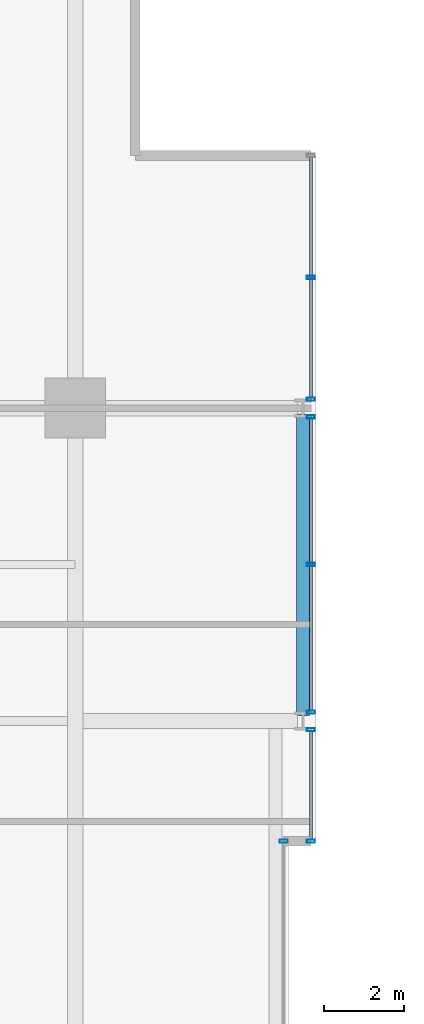
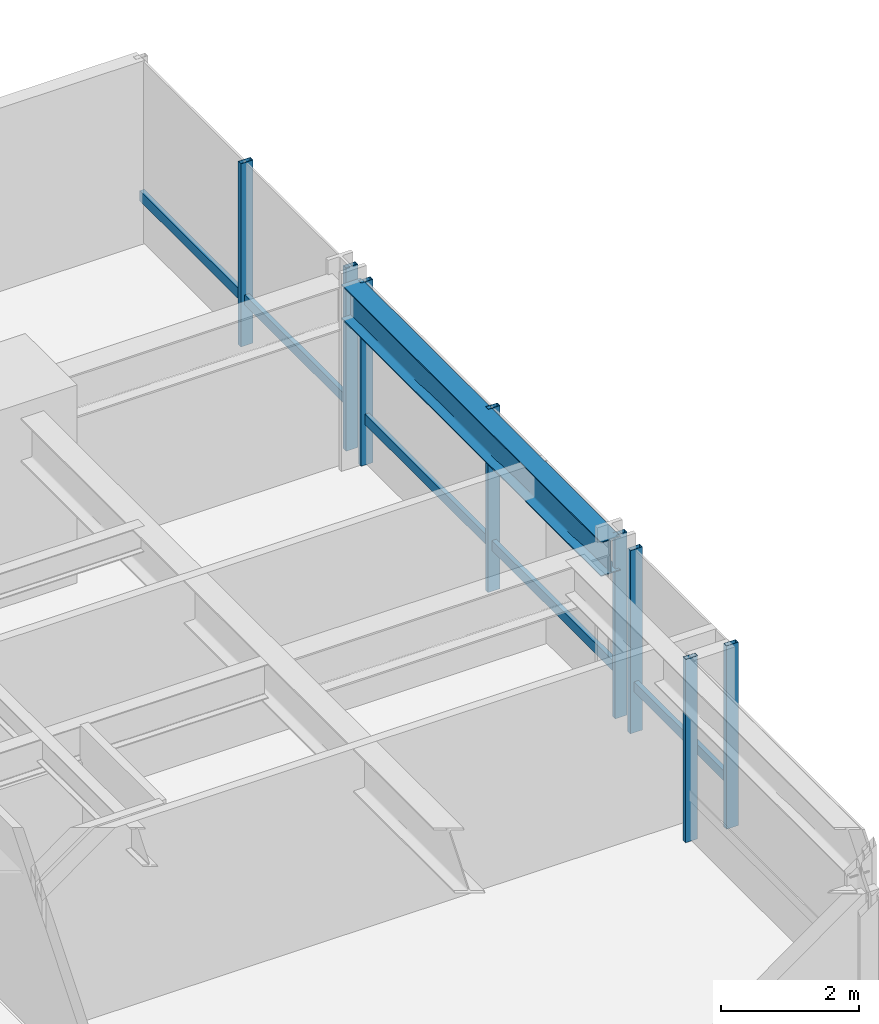
# One storey, part 24 of 34: 11 members, 1 beam, 4 elements without a shape of their own.
"""IFC4 building model written with IfcOpenShell, lengths in metres."""

from ifc_helpers import new_model, si_unit, direction, frame, origin, origin_2d, place, context, subcontext, project, spatial, hollow_rectangle, i_section, extrude, material, layer, layer_set, material_profile, profile_set, type_object, element, aggregate, save


model = new_model("IFC4")

# Units and contexts
model_context = context("Model", 3, precision=1e-05, world=origin(), true_north=direction((0.0, 1.0)))
body_context = subcontext(model_context, "Body", "Model", "MODEL_VIEW")
ifc_project = project(units=[si_unit("LENGTHUNIT", "METRE"), si_unit("AREAUNIT", "SQUARE_METRE"), si_unit("VOLUMEUNIT", "CUBIC_METRE"), si_unit("PLANEANGLEUNIT", "RADIAN"), si_unit("MASSUNIT", "GRAM", prefix="KILO")], contexts=[model_context])

# Site, building, storey
site_placement = place(None, origin())
site = spatial("IfcSite", under=ifc_project, at=site_placement, CompositionType="ELEMENT")
building_placement = place(site_placement, origin())
building = spatial("IfcBuilding", under=site, at=building_placement, Name="Drelvath Grand Hotel", CompositionType="ELEMENT")
storey_placement = place(building_placement, frame((0.0, 0.0, 91.800048828125)))
storey = spatial("IfcBuildingStorey", under=building, at=storey_placement, Name="L22", CompositionType="ELEMENT", Elevation=91.800048828125)

# Curtain wall, member
ifc_material_1 = material(Name="Champagne Bronze Anodised Aluminium Frame", Category="aluminium")
ifc_layer = layer(ifc_material_1, 0.199951171875)
ifc_layer_set = layer_set([ifc_layer], Name="Champagne Bronze Anodised Aluminium Frame")
curtain_wall_type = type_object("IfcCurtainWallType", Name="Stick Curtain Wall CW-03 Champagne Bronze Mid-Rise", PredefinedType="NOTDEFINED", material=ifc_layer_set)
curtain_wall_1_placement = place(storey_placement, origin())
curtain_wall_1 = element("IfcCurtainWall", 1, at=curtain_wall_1_placement, inside=storey, type_object=curtain_wall_type, Name="L22 CW-03 Curtain Wall CW03-L22-EN1", PredefinedType="NOTDEFINED")
ifc_material_profile_1 = material_profile(ifc_material_1, hollow_rectangle(XDim=0.074951171875, YDim=0.179931640625, WallThickness=0.0048828125, at=origin_2d()), Name="HSS180X75X5")
ifc_profile_set_1 = profile_set([ifc_material_profile_1], Name="Champagne Bronze Anodised Aluminium Frame")
member_type_1 = type_object("IfcMemberType", Name="Curtain Wall Horizontal Transom CW-03 HSS180X75X5", PredefinedType="USERDEFINED", material=ifc_profile_set_1)
member_1_placement = place(storey_placement, frame((22.080078125, 35.140380859375, 0.81005859375), z_axis=(0.0, -1.0, 0.0), x_axis=(1.0, 0.0, 0.0)))
member_1 = element("IfcMember", 2, at=member_1_placement, type_object=member_type_1, Name="CW03-L22-EN1 Sill Transom", ObjectType="TRANSOM", PredefinedType="USERDEFINED", context=body_context, shape_type="SweptSolid", body=[
    extrude(hollow_rectangle(XDim=0.074951171875, YDim=0.179931640625, WallThickness=0.0048828125, at=origin_2d()), origin(), (0.0, 0.0, 1.0), 2.700439453125),
])

curtain_wall_2_placement = place(storey_placement, origin())
curtain_wall_2 = element("IfcCurtainWall", 3, at=curtain_wall_2_placement, inside=storey, type_object=curtain_wall_type, Name="L22 CW-03 Curtain Wall CW03-L22-EN2", PredefinedType="NOTDEFINED")
member_2_placement = place(storey_placement, frame((22.080078125, 42.9404296875, 0.81005859375), z_axis=(0.0, -1.0, 0.0), x_axis=(1.0, 0.0, 0.0)))
member_2 = element("IfcMember", 4, at=member_2_placement, type_object=member_type_1, Name="CW03-L22-EN2 Sill Transom", ObjectType="TRANSOM", PredefinedType="USERDEFINED", context=body_context, shape_type="SweptSolid", body=[
    extrude(hollow_rectangle(XDim=0.074951171875, YDim=0.179931640625, WallThickness=0.0048828125, at=origin_2d()), origin(), (0.0, 0.0, 1.0), 7.28076171875),
])

curtain_wall_3_placement = place(storey_placement, origin())
curtain_wall_3 = element("IfcCurtainWall", 5, at=curtain_wall_3_placement, inside=storey, type_object=curtain_wall_type, Name="L22 CW-03 Curtain Wall CW03-L22-EN3", PredefinedType="NOTDEFINED")
member_3_placement = place(storey_placement, frame((22.080078125, 49.4599609375, 0.81005859375), z_axis=(0.0, -1.0, 0.0), x_axis=(1.0, 0.0, 0.0)))
member_3 = element("IfcMember", 6, at=member_3_placement, type_object=member_type_1, Name="CW03-L22-EN3 Sill Transom", ObjectType="TRANSOM", PredefinedType="USERDEFINED", context=body_context, shape_type="SweptSolid", body=[
    extrude(hollow_rectangle(XDim=0.074951171875, YDim=0.179931640625, WallThickness=0.0048828125, at=origin_2d()), origin(), (0.0, 0.0, 1.0), 6.000244140625),
])

# Member
ifc_material_profile_2 = material_profile(ifc_material_1, hollow_rectangle(XDim=0.080078125, YDim=0.199951171875, WallThickness=0.0048828125, at=origin_2d()), Name="HSS200X80X5")
ifc_profile_set_2 = profile_set([ifc_material_profile_2], Name="Champagne Bronze Anodised Aluminium Frame")
member_type_2 = type_object("IfcMemberType", Name="Curtain Wall Vertical Mullion CW-03 HSS200X80X5", PredefinedType="MULLION", material=ifc_profile_set_2)
member_4_placement = place(storey_placement, frame((22.080078125, 35.180419921875, 0.0), z_axis=(0.0, 0.0, 1.0), x_axis=(0.0, 1.0, 0.0)))
member_4 = element("IfcMember", 7, at=member_4_placement, type_object=member_type_2, Name="CW03-L22-EN1 Mullion 1", PredefinedType="MULLION", context=body_context, shape_type="SweptSolid", body=[
    extrude(hollow_rectangle(XDim=0.080078125, YDim=0.199951171875, WallThickness=0.0048828125, at=origin_2d()), origin(), (0.0, 0.0, 1.0), 3.239990234375),
])

member_5_placement = place(storey_placement, frame((22.080078125, 32.39990234375, 0.0), z_axis=(0.0, 0.0, 1.0), x_axis=(0.0, 1.0, 0.0)))
member_5 = element("IfcMember", 8, at=member_5_placement, type_object=member_type_2, Name="CW03-L22-EN1 Mullion 2", PredefinedType="MULLION", context=body_context, shape_type="SweptSolid", body=[
    extrude(hollow_rectangle(XDim=0.080078125, YDim=0.199951171875, WallThickness=0.0048828125, at=origin_2d()), origin(), (0.0, 0.0, 1.0), 3.239990234375),
])

aggregate(curtain_wall_1, [member_4, member_5, member_1])

member_6_placement = place(storey_placement, frame((22.080078125, 42.98046875, 0.0), z_axis=(0.0, 0.0, 1.0), x_axis=(0.0, 1.0, 0.0)))
member_6 = element("IfcMember", 9, at=member_6_placement, type_object=member_type_2, Name="CW03-L22-EN2 Mullion 1", PredefinedType="MULLION", context=body_context, shape_type="SweptSolid", body=[
    extrude(hollow_rectangle(XDim=0.080078125, YDim=0.199951171875, WallThickness=0.0048828125, at=origin_2d()), origin(), (0.0, 0.0, 1.0), 3.239990234375),
])

member_7_placement = place(storey_placement, frame((22.080078125, 39.300048828125, 0.0), z_axis=(0.0, 0.0, 1.0), x_axis=(0.0, 1.0, 0.0)))
member_7 = element("IfcMember", 10, at=member_7_placement, type_object=member_type_2, Name="CW03-L22-EN2 Mullion 2", PredefinedType="MULLION", context=body_context, shape_type="SweptSolid", body=[
    extrude(hollow_rectangle(XDim=0.080078125, YDim=0.199951171875, WallThickness=0.0048828125, at=origin_2d()), origin(), (0.0, 0.0, 1.0), 3.239990234375),
])

member_8_placement = place(storey_placement, frame((22.080078125, 35.61962890625, 0.0), z_axis=(0.0, 0.0, 1.0), x_axis=(0.0, 1.0, 0.0)))
member_8 = element("IfcMember", 11, at=member_8_placement, type_object=member_type_2, Name="CW03-L22-EN2 Mullion 3", PredefinedType="MULLION", context=body_context, shape_type="SweptSolid", body=[
    extrude(hollow_rectangle(XDim=0.080078125, YDim=0.199951171875, WallThickness=0.0048828125, at=origin_2d()), origin(), (0.0, 0.0, 1.0), 3.239990234375),
])

aggregate(curtain_wall_2, [member_6, member_7, member_8, member_2])

member_9_placement = place(storey_placement, frame((22.080078125, 46.459716796875, 0.0), z_axis=(0.0, 0.0, 1.0), x_axis=(0.0, 1.0, 0.0)))
member_9 = element("IfcMember", 12, at=member_9_placement, type_object=member_type_2, Name="CW03-L22-EN3 Mullion 2", PredefinedType="MULLION", context=body_context, shape_type="SweptSolid", body=[
    extrude(hollow_rectangle(XDim=0.080078125, YDim=0.199951171875, WallThickness=0.0048828125, at=origin_2d()), origin(), (0.0, 0.0, 1.0), 3.239990234375),
])

member_10_placement = place(storey_placement, frame((22.080078125, 43.419677734375, 0.0), z_axis=(0.0, 0.0, 1.0), x_axis=(0.0, 1.0, 0.0)))
member_10 = element("IfcMember", 13, at=member_10_placement, type_object=member_type_2, Name="CW03-L22-EN3 Mullion 3", PredefinedType="MULLION", context=body_context, shape_type="SweptSolid", body=[
    extrude(hollow_rectangle(XDim=0.080078125, YDim=0.199951171875, WallThickness=0.0048828125, at=origin_2d()), origin(), (0.0, 0.0, 1.0), 3.239990234375),
])

aggregate(curtain_wall_3, [member_9, member_10, member_3])

# Curtain wall, member
curtain_wall_4_placement = place(storey_placement, origin())
curtain_wall_4 = element("IfcCurtainWall", 14, at=curtain_wall_4_placement, inside=storey, type_object=curtain_wall_type, Name="L22 CW-03 Curtain Wall CW03-L22-EM2", PredefinedType="NOTDEFINED")
member_11_placement = place(storey_placement, frame((21.39990234375, 32.39990234375, 0.0), z_axis=(0.0, 0.0, 1.0), x_axis=(0.0, 1.0, 0.0)))
member_11 = element("IfcMember", 15, at=member_11_placement, type_object=member_type_2, Name="CW03-L22-EM2 Mullion 1", PredefinedType="MULLION", context=body_context, shape_type="SweptSolid", body=[
    extrude(hollow_rectangle(XDim=0.080078125, YDim=0.199951171875, WallThickness=0.0048828125, at=origin_2d()), origin(), (0.0, 0.0, 1.0), 3.239990234375),
])
aggregate(curtain_wall_4, [member_11])

# Beam
ifc_material_2 = material(Name="Steel ASTM A992 Gr 50", Category="steel")
ifc_material_profile_3 = material_profile(ifc_material_2, i_section(OverallWidth=0.323974609375, OverallDepth=0.611083984375, WebThickness=0.0126953125, FlangeThickness=0.01904296875, FilletRadius=0.02197265625, at=origin_2d()), Name="W24X104")
ifc_profile_set_3 = profile_set([ifc_material_profile_3], Name="Steel ASTM A992 Gr 50")
beam_type = type_object("IfcBeamType", Name="Perimeter Spandrel Beam W24X104", PredefinedType="SPANDREL", material=ifc_profile_set_3)
beam_placement = place(storey_placement, frame((21.8798828125, 35.5400390625, 2.9345703125), z_axis=(0.0, 1.0, 0.0), x_axis=(-1.0, 0.0, 0.0)))
element("IfcBeam", 16, at=beam_placement, inside=storey, type_object=beam_type, Name="L22 Spandrel East N", PredefinedType="SPANDREL", context=body_context, shape_type="SweptSolid", body=[
    extrude(i_section(OverallWidth=0.323974609375, OverallDepth=0.611083984375, WebThickness=0.0126953125, FlangeThickness=0.01904296875, FilletRadius=0.02197265625, at=origin_2d()), origin(), (0.0, 0.0, 1.0), 7.52001953125),
])

save(model, "model.ifc")
